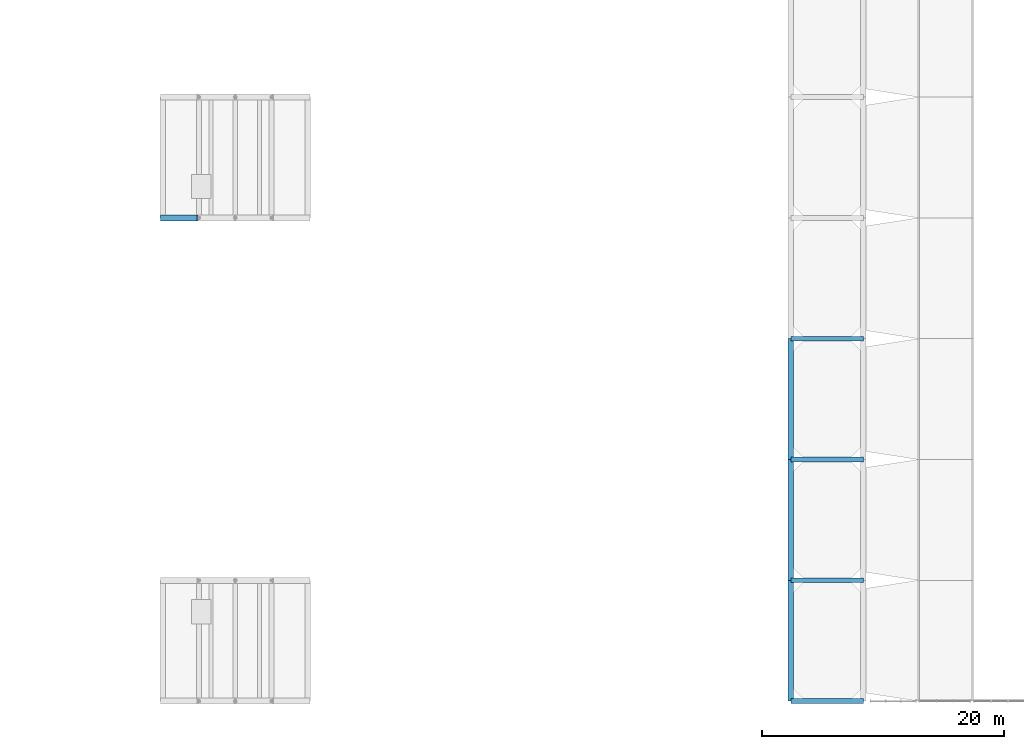
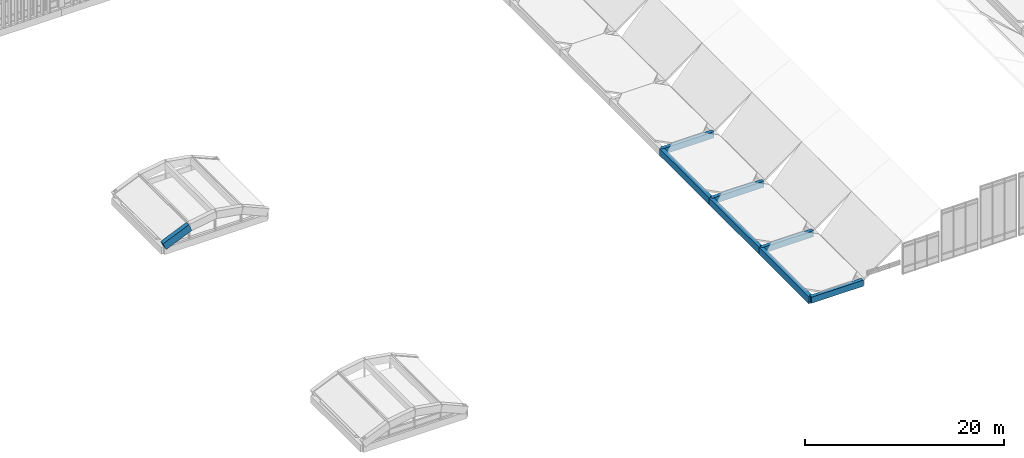
# One storey, part 8 of 82: 8 beams.
"""IFC4 building model written with IfcOpenShell, lengths in metres."""

import ifcopenshell
import ifcopenshell.guid

model = None  # the IFC model being written
_history = None  # IfcOwnerHistory: only IFC2X3 demands one
_inside = {}  # id of a spatial element -> (the spatial element, [elements in it])
_under = {}  # id of a project, library or spatial element -> (it, [spatial elements below it])
_declared = {}  # id of a project -> (the project, [libraries it declares])
_typed = {}  # id of a type object -> (the type object, [elements of that type])
_made_of = {}  # id of a material, layer set ... -> (it, [elements and type objects made of it])


def new_model(schema):
    """Start an empty IFC model of exactly this schema.

    Asked for "IFC4X3", IfcOpenShell would pick the latest addendum, in which some entities
    have other attributes; the version numbers below select the first issue.
    IFC2X3 requires an IfcOwnerHistory on every rooted entity: one is made here for all.
    """
    global model, _history
    if schema == "IFC4X3":
        model = ifcopenshell.file(schema_version=(4, 3, 0, 0))
    else:
        model = ifcopenshell.file(schema=schema)
    _inside.clear()
    _under.clear()
    _declared.clear()
    _typed.clear()
    _made_of.clear()
    _history = None
    if model.schema == "IFC2X3":
        org = make("IfcOrganization", Name="unknown")
        user = make(
            "IfcPersonAndOrganization",
            ThePerson=make("IfcPerson", FamilyName="unknown"),
            TheOrganization=org,
        )
        app = make(
            "IfcApplication",
            ApplicationDeveloper=org,
            Version="unknown",
            ApplicationFullName="unknown",
            ApplicationIdentifier="unknown",
        )
        _history = make(
            "IfcOwnerHistory",
            OwningUser=user,
            OwningApplication=app,
            ChangeAction="ADDED",
            CreationDate=0,
        )
    return model


def make(cls, **values):
    """One entity of the class cls with the attributes given. An attribute that is None is left unset."""
    return model.create_entity(
        cls, **{name: value for name, value in values.items() if value is not None}
    )


def rooted(cls, **values):
    """An entity with a GlobalId (a new one), such as an element, a storey or a relation."""
    return make(cls, GlobalId=ifcopenshell.guid.new(), OwnerHistory=_history, **values)


def si_unit(unit_type, name, prefix=None):
    """IfcSIUnit, for example si_unit("LENGTHUNIT", "METRE", prefix="MILLI")."""
    return make("IfcSIUnit", UnitType=unit_type, Prefix=prefix, Name=name)


def assignment(units):
    """IfcUnitAssignment: the units of a project."""
    return None if units is None else make("IfcUnitAssignment", Units=units)


def point(xyz):
    """IfcCartesianPoint."""
    return None if xyz is None else make("IfcCartesianPoint", Coordinates=xyz)


def direction(xyz):
    """IfcDirection."""
    return None if xyz is None else make("IfcDirection", DirectionRatios=xyz)


def frame(location, z_axis=None, x_axis=None):
    """IfcAxis2Placement3D, a coordinate frame: its origin and axes. An axis left out is left unset."""
    return make(
        "IfcAxis2Placement3D",
        Location=point(location),
        Axis=direction(z_axis),
        RefDirection=direction(x_axis),
    )


def frame_2d(location, x_axis=None):
    """IfcAxis2Placement2D, a coordinate frame in the plane: its origin and x axis."""
    return make(
        "IfcAxis2Placement2D", Location=point(location), RefDirection=direction(x_axis)
    )


def origin():
    """The frame at (0, 0, 0) with its axes left unset."""
    return frame((0.0, 0.0, 0.0))


def origin_2d():
    """The frame at (0, 0) in the plane with its x axis left unset."""
    return frame_2d((0.0, 0.0))


def place(relative_to, where):
    """IfcLocalPlacement: puts the frame where relative to a parent placement (None: the world)."""
    return make(
        "IfcLocalPlacement", PlacementRelTo=relative_to, RelativePlacement=where
    )


def context(
    kind, dimensions, precision=None, world=None, true_north=None, identifier=None
):
    """IfcGeometricRepresentationContext, for example the 3D "Model" context."""
    return make(
        "IfcGeometricRepresentationContext",
        ContextIdentifier=identifier,
        ContextType=kind,
        CoordinateSpaceDimension=dimensions,
        Precision=precision,
        WorldCoordinateSystem=world,
        TrueNorth=true_north,
    )


def subcontext(parent, identifier, kind, view, scale=None):
    """IfcGeometricRepresentationSubContext, for example "Body" below "Model"."""
    return make(
        "IfcGeometricRepresentationSubContext",
        ContextIdentifier=identifier,
        ContextType=kind,
        ParentContext=parent,
        TargetScale=scale,
        TargetView=view,
    )


def project(units=None, contexts=None):
    """IfcProject with its units and contexts."""
    return rooted(
        "IfcProject",
        Name="project",
        RepresentationContexts=contexts,
        UnitsInContext=assignment(units),
    )


def spatial(cls, under=None, at=None, **own):
    """A site, building, storey or space (cls), placed at a placement, below another one or the project."""
    s = rooted(cls, ObjectPlacement=at, **own)
    if under is not None:
        _under.setdefault(under.id(), (under, []))[1].append(s)
    return s


def profile(cls, at=None, kind="AREA", **sizes):
    """A parametric profile (cls). Its sizes go by their IFC names, for example OverallWidth=200.0."""
    return make(cls, ProfileType=kind, Position=at, **sizes)


def rectangle(**sizes):
    """IfcRectangleProfileDef."""
    return profile("IfcRectangleProfileDef", **sizes)


def extrude(swept, where, along, depth):
    """IfcExtrudedAreaSolid: the profile swept, set in the frame where, extruded along a direction by depth."""
    return make(
        "IfcExtrudedAreaSolid",
        SweptArea=swept,
        Position=where,
        ExtrudedDirection=direction(along),
        Depth=depth,
    )


def shape(context_of_items, identifier, shape_type, items):
    """IfcShapeRepresentation: the items that make up one representation, for example the "Body"."""
    return make(
        "IfcShapeRepresentation",
        ContextOfItems=context_of_items,
        RepresentationIdentifier=identifier,
        RepresentationType=shape_type,
        Items=items,
    )


def material(Name=None, Category=None):
    """IfcMaterial."""
    return make("IfcMaterial", Name=Name, Category=Category)


def material_profile(
    of_material, cross_section, Name=None, Category=None, Priority=None
):
    """IfcMaterialProfile: a cross section and its material."""
    return make(
        "IfcMaterialProfile",
        Name=Name,
        Material=of_material,
        Profile=cross_section,
        Priority=Priority,
        Category=Category,
    )


def profile_set(profiles, Name=None, composite=None):
    """IfcMaterialProfileSet."""
    return make(
        "IfcMaterialProfileSet",
        Name=Name,
        MaterialProfiles=profiles,
        CompositeProfile=composite,
    )


def made_of(thing, what):
    """Note that an element or type object is made of a material, layer set ...; save() writes the relation."""
    if what is not None:
        _made_of.setdefault(what.id(), (what, []))[1].append(thing)
    return thing


def type_object(cls, material=None, **own):
    """A type object (cls), such as IfcWallType, which elements share."""
    return made_of(rooted(cls, **own), material)


def element(
    cls,
    number,
    at=None,
    inside=None,
    cuts=None,
    type_object=None,
    material=None,
    context=None,
    identifier="Body",
    shape_type=None,
    held_by="IfcProductDefinitionShape",
    body=None,
    shapes=None,
    **own,
):
    """One element of the class cls, such as IfcWall. Its Tag is "e" and its number.

    at: its placement. inside: the storey or other place that contains it. cuts: it is an
    opening in that element (IfcRelVoidsElement). A single representation is given by context,
    identifier, shape_type and body (its items); several are given by shapes. held_by: the class
    of the entity that holds the representations. save() writes the other relations.
    """
    e = rooted(cls, Tag="e%d" % number, ObjectPlacement=at, **own)
    if body is not None:
        shapes = [shape(context, identifier, shape_type, body)]
    if shapes is not None:
        e.Representation = make(held_by, Representations=shapes)
    if inside is not None:
        _inside.setdefault(inside.id(), (inside, []))[1].append(e)
    if cuts is not None:
        rooted(
            "IfcRelVoidsElement", RelatingBuildingElement=cuts, RelatedOpeningElement=e
        )
    if type_object is not None:
        _typed.setdefault(type_object.id(), (type_object, []))[1].append(e)
    return made_of(e, material)


def aggregate(whole, parts):
    """IfcRelAggregates: a whole, such as a stair, and the parts it consists of."""
    return rooted("IfcRelAggregates", RelatingObject=whole, RelatedObjects=parts)


def save(model, path):
    """Write the relations noted so far, then the file.

    IfcRelAggregates (storeys below a building ...), IfcRelContainedInSpatialStructure (elements
    in a storey), IfcRelDefinesByType, IfcRelAssociatesMaterial and IfcRelDeclares: one each for
    every whole, place, type object, material and project.
    """
    for whole, parts in _under.values():
        aggregate(whole, parts)
    for where, things in _inside.values():
        rooted(
            "IfcRelContainedInSpatialStructure",
            RelatedElements=things,
            RelatingStructure=where,
        )
    for kind, things in _typed.values():
        rooted("IfcRelDefinesByType", RelatedObjects=things, RelatingType=kind)
    for what, things in _made_of.values():
        rooted("IfcRelAssociatesMaterial", RelatedObjects=things, RelatingMaterial=what)
    for by, libraries in _declared.values():
        rooted("IfcRelDeclares", RelatingContext=by, RelatedDefinitions=libraries)
    model.write(path)


model = new_model("IFC4")

# Units and contexts
model_context = context("Model", 3, precision=1e-05, world=origin(), true_north=direction((0.0, 1.0)))
body_context = subcontext(model_context, "Body", "Model", "MODEL_VIEW")
ifc_project = project(units=[si_unit("LENGTHUNIT", "METRE"), si_unit("AREAUNIT", "SQUARE_METRE"), si_unit("VOLUMEUNIT", "CUBIC_METRE"), si_unit("PLANEANGLEUNIT", "RADIAN"), si_unit("MASSUNIT", "GRAM", prefix="KILO")], contexts=[model_context])

# Site, building, storey
site_placement = place(None, origin())
site = spatial("IfcSite", under=ifc_project, at=site_placement, CompositionType="ELEMENT")
building_placement = place(site_placement, origin())
building = spatial("IfcBuilding", under=site, at=building_placement, Name="Mersad Railyard Sports Hall", CompositionType="ELEMENT")
storey_placement = place(building_placement, frame((0.0, 0.0, 13.199951171875)))
storey = spatial("IfcBuildingStorey", under=building, at=storey_placement, Name="L03", CompositionType="ELEMENT", Elevation=13.199951171875)

# Beams
ifc_material_1 = material(Name="Concrete C40/50", Category="concrete")
ifc_material_profile_1 = material_profile(ifc_material_1, rectangle(XDim=0.39990234375, YDim=0.75, at=origin_2d()), Name="RC 400x750")
ifc_profile_set_1 = profile_set([ifc_material_profile_1], Name="Concrete C40/50")
beam_type_1 = type_object("IfcBeamType", Name="STR-BM-B01", PredefinedType="BEAM", material=ifc_profile_set_1)
for number, where, z_axis, x_axis, name in (
    (1, (131.0, 3.5, -0.594970703125), (1.0, 0.0, 0.0), (0.0, 1.0, 0.0), "Beam B01-0661"),
    (2, (131.0, 13.5, -0.594970703125), (1.0, 0.0, 0.0), (0.0, 1.0, 0.0), "Beam B01-0662"),
    (3, (131.0, 23.5, -0.594970703125), (1.0, 0.0, 0.0), (0.0, 1.0, 0.0), "Beam B01-0663"),
    (4, (131.0, 33.5, -0.594970703125), (1.0, 0.0, 0.0), (0.0, 1.0, 0.0), "Beam B01-0664"),
):
    element("IfcBeam", number, at=place(storey_placement, frame(where, z_axis=z_axis, x_axis=x_axis)), inside=storey, type_object=beam_type_1, Name=name, PredefinedType="BEAM", context=body_context, shape_type="SweptSolid", body=[
        extrude(rectangle(XDim=0.39990234375, YDim=0.75, at=origin_2d()), origin(), (0.0, 0.0, 1.0), 6.0),
    ])
ifc_material_profile_2 = material_profile(ifc_material_1, rectangle(XDim=0.449951171875, YDim=0.85009765625, at=origin_2d()), Name="RC 450x850")
ifc_profile_set_2 = profile_set([ifc_material_profile_2], Name="Concrete C40/50")
beam_type_2 = type_object("IfcBeamType", Name="STR-BM-B02", PredefinedType="BEAM", material=ifc_profile_set_2)
for number, where, z_axis, x_axis, name in (
    (5, (131.0, 3.5, -0.64501953125), (0.0, 1.0, 0.0), (-1.0, 0.0, 0.0), "Beam B02-0669"),
    (6, (131.0, 13.5, -0.64501953125), (0.0, 1.0, 0.0), (-1.0, 0.0, 0.0), "Beam B02-0670"),
    (7, (131.0, 23.5, -0.64501953125), (0.0, 1.0, 0.0), (-1.0, 0.0, 0.0), "Beam B02-0671"),
):
    element("IfcBeam", number, at=place(storey_placement, frame(where, z_axis=z_axis, x_axis=x_axis)), inside=storey, type_object=beam_type_2, Name=name, PredefinedType="BEAM", context=body_context, shape_type="SweptSolid", body=[
        extrude(rectangle(XDim=0.449951171875, YDim=0.85009765625, at=origin_2d()), origin(), (0.0, 0.0, 1.0), 10.0),
    ])
ifc_material_2 = material(Name="Architectural concrete C50/60", Category="concrete")
ifc_material_profile_3 = material_profile(ifc_material_2, rectangle(XDim=0.5, YDim=0.89990234375, at=origin_2d()), Name="VR 500x900")
ifc_profile_set_3 = profile_set([ifc_material_profile_3], Name="Architectural concrete C50/60")
beam_type_3 = type_object("IfcBeamType", Name="STR-BM-VR02", PredefinedType="BEAM", material=ifc_profile_set_3)
beam_placement = place(storey_placement, frame((79.0, 43.5, -0.050048828125), z_axis=(0.917550176867, 0.0, 0.397620010727), x_axis=(0.0, 1.0, 0.0)))
element("IfcBeam", 8, at=beam_placement, inside=storey, type_object=beam_type_3, Name="Beam VR02-1614", PredefinedType="BEAM", context=body_context, shape_type="SweptSolid", body=[
    extrude(rectangle(XDim=0.5, YDim=0.89990234375, at=origin_2d()), origin(), (0.0, 0.0, 1.0), 3.26953125),
])

save(model, "model.ifc")
